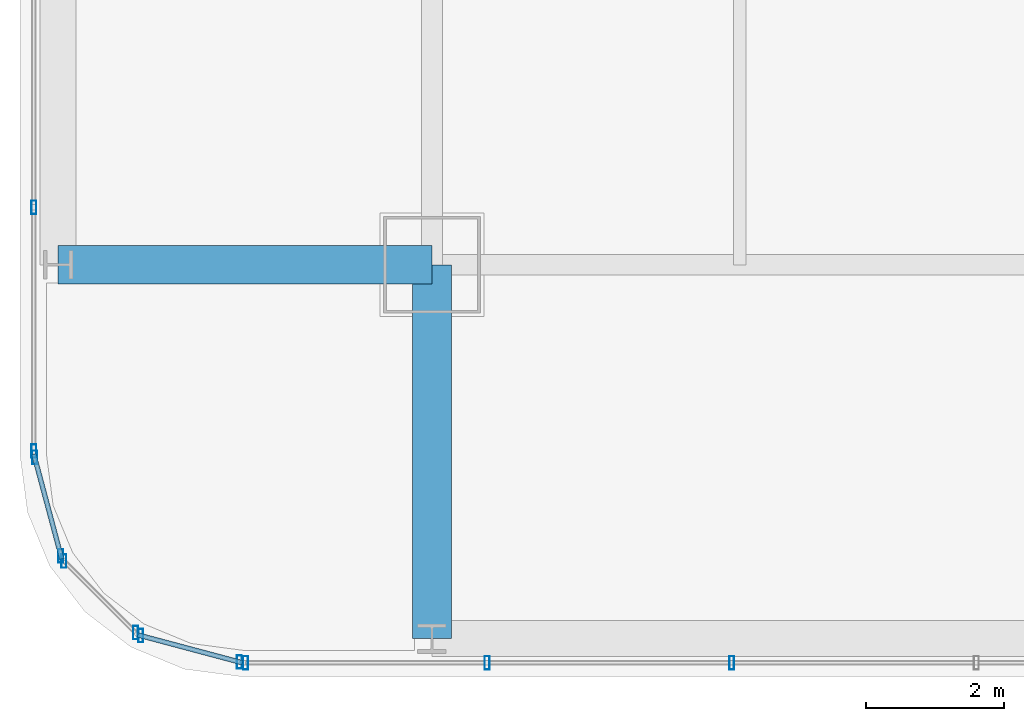
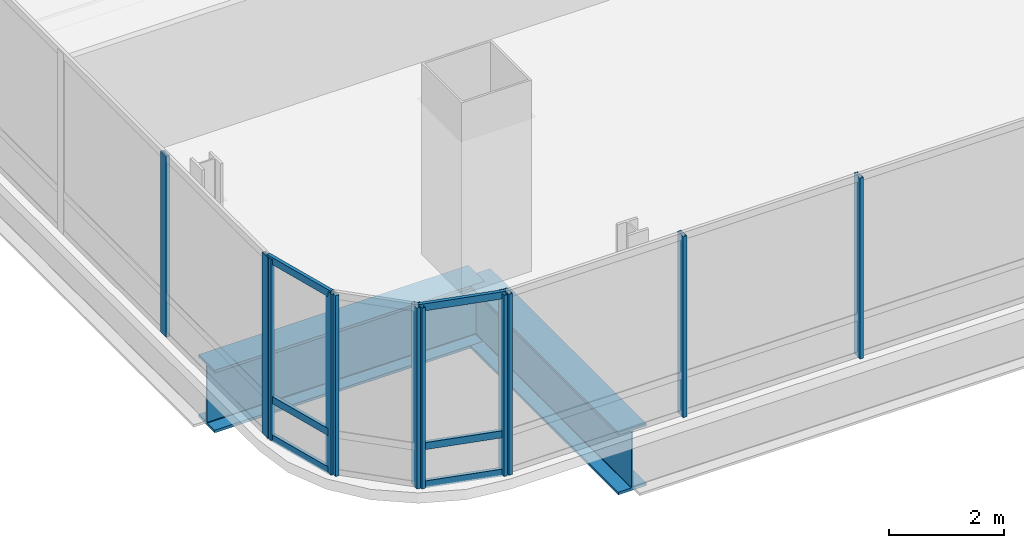
# One storey, part 2 of 37: 17 members, 2 beams, 5 elements without a shape of their own.
"""IFC4 building model written with IfcOpenShell, lengths in metres."""

from ifc_helpers import new_model, si_unit, direction, frame, origin, origin_2d, place, context, subcontext, project, spatial, hollow_rectangle, i_section, extrude, material, material_profile, profile_set, type_object, element, aggregate, save


model = new_model("IFC4")

# Units and contexts
model_context = context("Model", 3, precision=1e-05, world=origin(), true_north=direction((0.0, 1.0)))
body_context = subcontext(model_context, "Body", "Model", "MODEL_VIEW")
ifc_project = project(units=[si_unit("LENGTHUNIT", "METRE"), si_unit("AREAUNIT", "SQUARE_METRE"), si_unit("VOLUMEUNIT", "CUBIC_METRE"), si_unit("PLANEANGLEUNIT", "RADIAN"), si_unit("MASSUNIT", "GRAM", prefix="KILO")], contexts=[model_context])

# Site, building, storey
site_placement = place(None, origin())
site = spatial("IfcSite", under=ifc_project, at=site_placement, CompositionType="ELEMENT")
building_placement = place(site_placement, origin())
building = spatial("IfcBuilding", under=site, at=building_placement, Name="Punatoya Terracotta Tower", CompositionType="ELEMENT")
storey_placement = place(building_placement, frame((0.0, 0.0, 192.449951171875)))
storey = spatial("IfcBuildingStorey", under=building, at=storey_placement, Name="L45", CompositionType="ELEMENT", Elevation=192.449951171875)

# Beams
ifc_material_1 = material(Name="Steel S460", Category="steel")
ifc_material_profile_1 = material_profile(ifc_material_1, i_section(OverallWidth=0.56005859375, OverallDepth=1.320068359375, WebThickness=0.035888671875, FlangeThickness=0.054931640625, FilletRadius=0.01806640625, at=origin_2d()))
ifc_profile_set_1 = profile_set([ifc_material_profile_1], Name="Steel S460")
beam_type = type_object("IfcBeamType", Name="BM-TG-BLK", PredefinedType="BEAM", material=ifc_profile_set_1)
for number, where, z_axis, x_axis, name in (
    (1, (-24.5, -17.5, -0.8798828125), (1.0, 0.0, 0.0), (0.0, 1.0, 0.0), "BM-L45-CANT-W1"),
    (2, (-19.10009765625, -22.89990234375, -0.8798828125), (0.0, 1.0, 0.0), (-1.0, 0.0, 0.0), "BM-L45-CANT-S1"),
):
    element("IfcBeam", number, at=place(storey_placement, frame(where, z_axis=z_axis, x_axis=x_axis)), inside=storey, type_object=beam_type, Name=name, PredefinedType="BEAM", context=body_context, shape_type="SweptSolid", body=[
        extrude(i_section(OverallWidth=0.56005859375, OverallDepth=1.320068359375, WebThickness=0.035888671875, FlangeThickness=0.054931640625, FilletRadius=0.01806640625, at=origin_2d()), origin(), (0.0, 0.0, 1.0), 5.39990234375),
    ])

# Curtain wall, members
ifc_material_2 = material(Name="Aluminium 6063-T6 + Double Low-E Glass", Category="aluminium")
curtain_wall_type = type_object("IfcCurtainWallType", Name="CW-M2", PredefinedType="NOTDEFINED", material=ifc_material_2)
curtain_wall_1_placement = place(storey_placement, origin())
curtain_wall_1 = element("IfcCurtainWall", 3, at=curtain_wall_1_placement, inside=storey, type_object=curtain_wall_type, Name="L45 Curtain Wall CW-L45-S01-1", PredefinedType="NOTDEFINED")
ifc_material_3 = material(Name="Aluminium 6063-T6", Category="aluminium")
ifc_material_profile_2 = material_profile(ifc_material_3, hollow_rectangle(XDim=0.072021484375, YDim=0.195068359375, WallThickness=0.00439453125, at=origin_2d()))
ifc_profile_set_2 = profile_set([ifc_material_profile_2], Name="Aluminium 6063-T6")
member_type_1 = type_object("IfcMemberType", Name="CW-MUL-M2", PredefinedType="MULLION", material=ifc_profile_set_2)
member_1_placement = place(storey_placement, frame((-21.7919921875, -23.25, 0.0), z_axis=(0.0, 0.0, 1.0), x_axis=(1.0, 0.0, 0.0)))
member_1 = element("IfcMember", 4, at=member_1_placement, type_object=member_type_1, Name="CW-L45-S01-1 Mullion 00", PredefinedType="MULLION", context=body_context, shape_type="SweptSolid", body=[
    extrude(hollow_rectangle(XDim=0.072021484375, YDim=0.195068359375, WallThickness=0.00439453125, at=origin_2d()), origin(), (0.0, 0.0, 1.0), 3.830078125),
])
member_2_placement = place(storey_placement, frame((-18.302978515625, -23.25, 0.0), z_axis=(0.0, 0.0, 1.0), x_axis=(1.0, 0.0, 0.0)))
member_2 = element("IfcMember", 5, at=member_2_placement, type_object=member_type_1, Name="CW-L45-S01-1 Mullion 01", PredefinedType="MULLION", context=body_context, shape_type="SweptSolid", body=[
    extrude(hollow_rectangle(XDim=0.072021484375, YDim=0.195068359375, WallThickness=0.00439453125, at=origin_2d()), origin(), (0.0, 0.0, 1.0), 3.830078125),
])
member_3_placement = place(storey_placement, frame((-14.768798828125, -23.25, 0.0), z_axis=(0.0, 0.0, 1.0), x_axis=(1.0, 0.0, 0.0)))
member_3 = element("IfcMember", 6, at=member_3_placement, type_object=member_type_1, Name="CW-L45-S01-1 Mullion 02", PredefinedType="MULLION", context=body_context, shape_type="SweptSolid", body=[
    extrude(hollow_rectangle(XDim=0.072021484375, YDim=0.195068359375, WallThickness=0.00439453125, at=origin_2d()), origin(), (0.0, 0.0, 1.0), 3.830078125),
])
aggregate(curtain_wall_1, [member_1, member_2, member_3])

curtain_wall_2_placement = place(storey_placement, origin())
curtain_wall_2 = element("IfcCurtainWall", 7, at=curtain_wall_2_placement, inside=storey, type_object=curtain_wall_type, Name="L45 Curtain Wall CW-L45-W13-1", PredefinedType="NOTDEFINED")
member_4_placement = place(storey_placement, frame((-24.85009765625, -16.66943359375, 0.0), z_axis=(0.0, 0.0, 1.0), x_axis=(1.0, 0.0, 0.0)))
member_4 = element("IfcMember", 8, at=member_4_placement, type_object=member_type_1, Name="CW-L45-W13-1 Mullion 09", PredefinedType="MULLION", context=body_context, shape_type="SweptSolid", body=[
    extrude(hollow_rectangle(XDim=0.072021484375, YDim=0.195068359375, WallThickness=0.00439453125, at=origin_2d()), origin(), (0.0, 0.0, 1.0), 3.830078125),
])
member_5_placement = place(storey_placement, frame((-24.85009765625, -20.19189453125, 0.0), z_axis=(0.0, 0.0, 1.0), x_axis=(1.0, 0.0, 0.0)))
member_5 = element("IfcMember", 9, at=member_5_placement, type_object=member_type_1, Name="CW-L45-W13-1 Mullion 10", PredefinedType="MULLION", context=body_context, shape_type="SweptSolid", body=[
    extrude(hollow_rectangle(XDim=0.072021484375, YDim=0.195068359375, WallThickness=0.00439453125, at=origin_2d()), origin(), (0.0, 0.0, 1.0), 3.830078125),
])
aggregate(curtain_wall_2, [member_4, member_5])

curtain_wall_3_placement = place(storey_placement, origin())
curtain_wall_3 = element("IfcCurtainWall", 10, at=curtain_wall_3_placement, inside=storey, type_object=curtain_wall_type, Name="L45 Curtain Wall CW-L45-CRN14", PredefinedType="NOTDEFINED")
member_6_placement = place(storey_placement, frame((-24.83837890625, -20.280517578125, 0.0), z_axis=(0.0, 0.0, 1.0), x_axis=(1.0, 0.0, 0.0)))
member_6 = element("IfcMember", 11, at=member_6_placement, type_object=member_type_1, Name="CW-L45-CRN14 Mullion 00", PredefinedType="MULLION", context=body_context, shape_type="SweptSolid", body=[
    extrude(hollow_rectangle(XDim=0.072021484375, YDim=0.195068359375, WallThickness=0.00439453125, at=origin_2d()), origin(), (0.0, 0.0, 1.0), 3.830078125),
])
member_7_placement = place(storey_placement, frame((-24.458251953125, -21.70556640625, 0.0), z_axis=(0.0, 0.0, 1.0), x_axis=(1.0, 0.0, 0.0)))
member_7 = element("IfcMember", 12, at=member_7_placement, type_object=member_type_1, Name="CW-L45-CRN14 Mullion 01", PredefinedType="MULLION", context=body_context, shape_type="SweptSolid", body=[
    extrude(hollow_rectangle(XDim=0.072021484375, YDim=0.195068359375, WallThickness=0.00439453125, at=origin_2d()), origin(), (0.0, 0.0, 1.0), 3.830078125),
])

curtain_wall_4_placement = place(storey_placement, origin())
curtain_wall_4 = element("IfcCurtainWall", 13, at=curtain_wall_4_placement, inside=storey, type_object=curtain_wall_type, Name="L45 Curtain Wall CW-L45-CRN15", PredefinedType="NOTDEFINED")
member_8_placement = place(storey_placement, frame((-24.414794921875, -21.781005859375, 0.0), z_axis=(0.0, 0.0, 1.0), x_axis=(1.0, 0.0, 0.0)))
member_8 = element("IfcMember", 14, at=member_8_placement, type_object=member_type_1, Name="CW-L45-CRN15 Mullion 00", PredefinedType="MULLION", context=body_context, shape_type="SweptSolid", body=[
    extrude(hollow_rectangle(XDim=0.072021484375, YDim=0.195068359375, WallThickness=0.00439453125, at=origin_2d()), origin(), (0.0, 0.0, 1.0), 3.830078125),
])
member_9_placement = place(storey_placement, frame((-23.380859375, -22.814697265625, 0.0), z_axis=(0.0, 0.0, 1.0), x_axis=(1.0, 0.0, 0.0)))
member_9 = element("IfcMember", 15, at=member_9_placement, type_object=member_type_1, Name="CW-L45-CRN15 Mullion 01", PredefinedType="MULLION", context=body_context, shape_type="SweptSolid", body=[
    extrude(hollow_rectangle(XDim=0.072021484375, YDim=0.195068359375, WallThickness=0.00439453125, at=origin_2d()), origin(), (0.0, 0.0, 1.0), 3.830078125),
])
aggregate(curtain_wall_4, [member_8, member_9])

curtain_wall_5_placement = place(storey_placement, origin())
curtain_wall_5 = element("IfcCurtainWall", 16, at=curtain_wall_5_placement, inside=storey, type_object=curtain_wall_type, Name="L45 Curtain Wall CW-L45-CRN16", PredefinedType="NOTDEFINED")
member_10_placement = place(storey_placement, frame((-23.3056640625, -22.858154296875, 0.0), z_axis=(0.0, 0.0, 1.0), x_axis=(1.0, 0.0, 0.0)))
member_10 = element("IfcMember", 17, at=member_10_placement, type_object=member_type_1, Name="CW-L45-CRN16 Mullion 00", PredefinedType="MULLION", context=body_context, shape_type="SweptSolid", body=[
    extrude(hollow_rectangle(XDim=0.072021484375, YDim=0.195068359375, WallThickness=0.00439453125, at=origin_2d()), origin(), (0.0, 0.0, 1.0), 3.830078125),
])
member_11_placement = place(storey_placement, frame((-21.88037109375, -23.23828125, 0.0), z_axis=(0.0, 0.0, 1.0), x_axis=(1.0, 0.0, 0.0)))
member_11 = element("IfcMember", 18, at=member_11_placement, type_object=member_type_1, Name="CW-L45-CRN16 Mullion 01", PredefinedType="MULLION", context=body_context, shape_type="SweptSolid", body=[
    extrude(hollow_rectangle(XDim=0.072021484375, YDim=0.195068359375, WallThickness=0.00439453125, at=origin_2d()), origin(), (0.0, 0.0, 1.0), 3.830078125),
])

# Member
ifc_material_profile_3 = material_profile(ifc_material_3, hollow_rectangle(XDim=0.068115234375, YDim=0.14990234375, WallThickness=0.00390625, at=origin_2d()))
ifc_profile_set_3 = profile_set([ifc_material_profile_3], Name="Aluminium 6063-T6")
member_type_2 = type_object("IfcMemberType", Name="CW-TRN-TYP", PredefinedType="USERDEFINED", material=ifc_profile_set_3)
member_12_placement = place(storey_placement, frame((-24.85009765625, -20.23681640625, 0.0400390625), z_axis=(0.257847112249, -0.966185730957, 0.0), x_axis=(0.966185730957, 0.257847112249, 0.0)))
member_12 = element("IfcMember", 19, at=member_12_placement, type_object=member_type_2, Name="CW-L45-CRN14 Transom 1", ObjectType="TRANSOM", PredefinedType="USERDEFINED", context=body_context, shape_type="SweptSolid", body=[
    extrude(hollow_rectangle(XDim=0.068115234375, YDim=0.14990234375, WallThickness=0.00390625, at=origin_2d()), origin(), (0.0, 0.0, 1.0), 1.565185546875),
])

member_13_placement = place(storey_placement, frame((-24.85009765625, -20.23681640625, 0.85009765625), z_axis=(0.257847112249, -0.966185730957, 0.0), x_axis=(0.966185730957, 0.257847112249, 0.0)))
member_13 = element("IfcMember", 20, at=member_13_placement, type_object=member_type_2, Name="CW-L45-CRN14 Transom 2", ObjectType="TRANSOM", PredefinedType="USERDEFINED", context=body_context, shape_type="SweptSolid", body=[
    extrude(hollow_rectangle(XDim=0.068115234375, YDim=0.14990234375, WallThickness=0.00390625, at=origin_2d()), origin(), (0.0, 0.0, 1.0), 1.565185546875),
])

member_14_placement = place(storey_placement, frame((-24.85009765625, -20.23681640625, 3.7900390625), z_axis=(0.257847112249, -0.966185730957, 0.0), x_axis=(0.966185730957, 0.257847112249, 0.0)))
member_14 = element("IfcMember", 21, at=member_14_placement, type_object=member_type_2, Name="CW-L45-CRN14 Transom 3", ObjectType="TRANSOM", PredefinedType="USERDEFINED", context=body_context, shape_type="SweptSolid", body=[
    extrude(hollow_rectangle(XDim=0.068115234375, YDim=0.14990234375, WallThickness=0.00390625, at=origin_2d()), origin(), (0.0, 0.0, 1.0), 1.565185546875),
])

aggregate(curtain_wall_3, [member_6, member_7, member_12, member_13, member_14])

member_15_placement = place(storey_placement, frame((-23.34912109375, -22.8466796875, 0.0400390625), z_axis=(0.966224582397, -0.257701486942, 0.0), x_axis=(0.257701486942, 0.966224582397, 0.0)))
member_15 = element("IfcMember", 22, at=member_15_placement, type_object=member_type_2, Name="CW-L45-CRN16 Transom 1", ObjectType="TRANSOM", PredefinedType="USERDEFINED", context=body_context, shape_type="SweptSolid", body=[
    extrude(hollow_rectangle(XDim=0.068115234375, YDim=0.14990234375, WallThickness=0.00390625, at=origin_2d()), origin(), (0.0, 0.0, 1.0), 1.565185546875),
])

member_16_placement = place(storey_placement, frame((-23.34912109375, -22.8466796875, 0.85009765625), z_axis=(0.966224582397, -0.257701486942, 0.0), x_axis=(0.257701486942, 0.966224582397, 0.0)))
member_16 = element("IfcMember", 23, at=member_16_placement, type_object=member_type_2, Name="CW-L45-CRN16 Transom 2", ObjectType="TRANSOM", PredefinedType="USERDEFINED", context=body_context, shape_type="SweptSolid", body=[
    extrude(hollow_rectangle(XDim=0.068115234375, YDim=0.14990234375, WallThickness=0.00390625, at=origin_2d()), origin(), (0.0, 0.0, 1.0), 1.565185546875),
])

member_17_placement = place(storey_placement, frame((-23.34912109375, -22.8466796875, 3.7900390625), z_axis=(0.966224582397, -0.257701486942, 0.0), x_axis=(0.257701486942, 0.966224582397, 0.0)))
member_17 = element("IfcMember", 24, at=member_17_placement, type_object=member_type_2, Name="CW-L45-CRN16 Transom 3", ObjectType="TRANSOM", PredefinedType="USERDEFINED", context=body_context, shape_type="SweptSolid", body=[
    extrude(hollow_rectangle(XDim=0.068115234375, YDim=0.14990234375, WallThickness=0.00390625, at=origin_2d()), origin(), (0.0, 0.0, 1.0), 1.565185546875),
])

aggregate(curtain_wall_5, [member_10, member_11, member_15, member_16, member_17])

save(model, "model.ifc")
